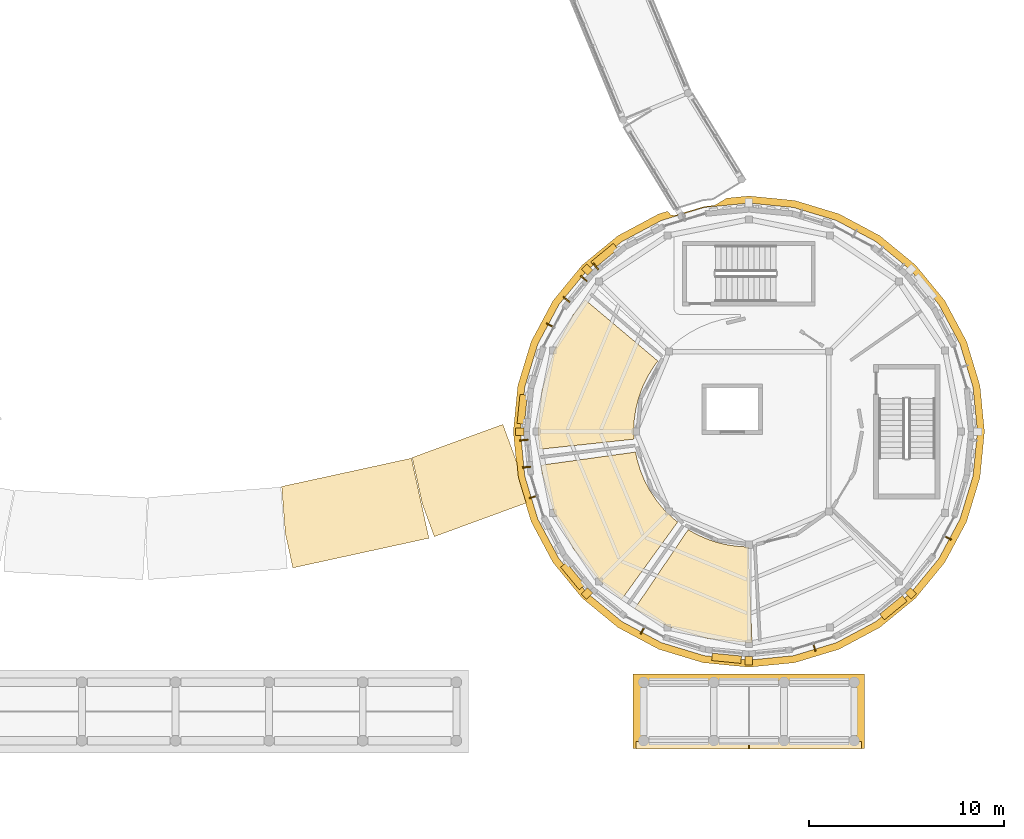
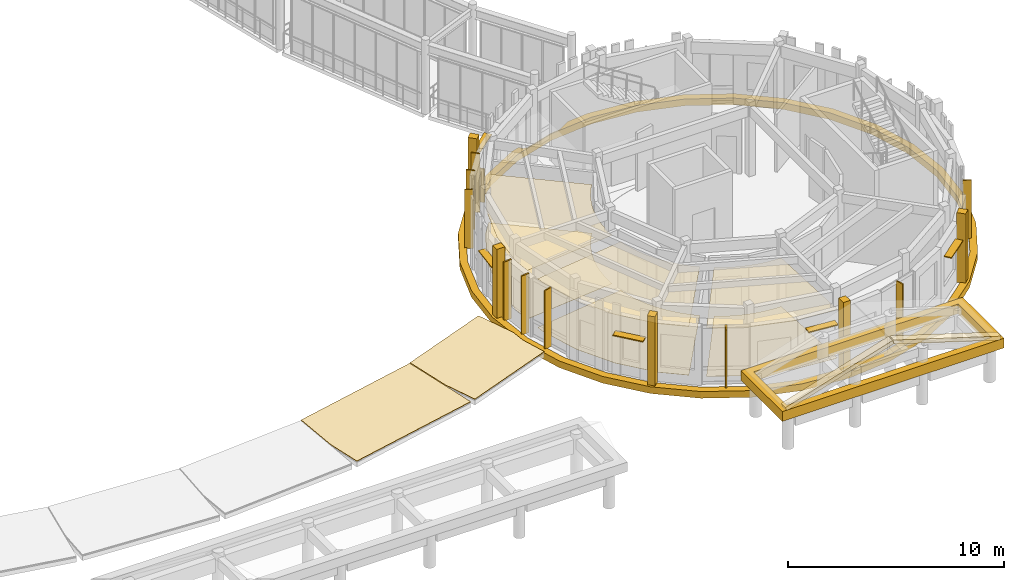
# One storey, part 76 of 80: 17 coverings, 15 shading devices.
"""IFC4 building model written with IfcOpenShell, lengths in metres."""

from ifc_helpers import new_model, si_unit, direction, frame, origin, origin_2d, place, context, subcontext, project, spatial, polyline, rectangle, outline, extrude, material, layer, layer_set, type_object, element, save


model = new_model("IFC4")

# Units and contexts
model_context = context("Model", 3, precision=1e-05, world=origin(), true_north=direction((0.0, 1.0)))
body_context = subcontext(model_context, "Body", "Model", "MODEL_VIEW")
ifc_project = project(units=[si_unit("LENGTHUNIT", "METRE"), si_unit("AREAUNIT", "SQUARE_METRE"), si_unit("VOLUMEUNIT", "CUBIC_METRE"), si_unit("PLANEANGLEUNIT", "RADIAN"), si_unit("MASSUNIT", "GRAM", prefix="KILO")], contexts=[model_context])

# Site, building, storey
site_placement = place(None, origin())
site = spatial("IfcSite", under=ifc_project, at=site_placement, CompositionType="ELEMENT")
building_placement = place(site_placement, origin())
building = spatial("IfcBuilding", under=site, at=building_placement, Name="Aldenvaro Health Centre", CompositionType="ELEMENT")
storey_placement = place(building_placement, frame((0.0, 0.0, 4.550048828125)))
storey = spatial("IfcBuildingStorey", under=building, at=storey_placement, Name="L01", CompositionType="ELEMENT", Elevation=4.550048828125)

# Coverings
ifc_material_1 = material(Name="Antimicrobial Mineral Fibre Ceiling")
ifc_layer_1 = layer(ifc_material_1, 0.01806640625, Name="Antimicrobial Mineral Fibre Ceiling")
ifc_layer_set_1 = layer_set([ifc_layer_1], Name="Antimicrobial Mineral Fibre Ceiling")
covering_type_1 = type_object("IfcCoveringType", Name="COV-CLG-ACT18", PredefinedType="CEILING", material=ifc_layer_set_1)
covering_1_placement = place(storey_placement, frame((0.0, 0.0, 2.75)))
element("IfcCovering", 1, at=covering_1_placement, inside=storey, type_object=covering_type_1, Name="D6-L01-R02 Suspended Ceiling", PredefinedType="CEILING", context=body_context, shape_type="SweptSolid", body=[
    extrude(outline(polyline([(149.6259765625, 21.842041015625), (149.613037109375, 21.822021484375), (149.31494140625, 21.3349609375), (149.302978515625, 21.31396484375), (149.055908203125, 20.799072265625), (149.0458984375, 20.777099609375), (148.85205078125, 20.239013671875), (148.844970703125, 20.216064453125), (148.7060546875, 19.662109375), (148.700927734375, 19.638916015625), (148.617919921875, 19.072998046875), (148.615966796875, 19.049072265625), (148.590087890625, 18.47900390625), (148.590087890625, 18.4541015625), (148.610107421875, 18.112060546875), (143.77099609375, 17.594970703125), (143.681884765625, 18.5), (143.888916015625, 20.610107421875), (144.5048828125, 22.639892578125), (145.50390625, 24.510009765625), (146.112060546875, 25.25), (149.833984375, 22.115966796875), (149.6259765625, 21.842041015625)])), origin(), (0.0, 0.0, 1.0), 0.01806640625),
])
covering_2_placement = place(storey_placement, frame((0.0, 0.0, 2.75)))
element("IfcCovering", 2, at=covering_2_placement, inside=storey, type_object=covering_type_1, Name="D6-L01-R03 Suspended Ceiling", PredefinedType="CEILING", context=body_context, shape_type="SweptSolid", body=[
    extrude(outline(polyline([(148.7548828125, 17.114990234375), (148.760986328125, 17.091064453125), (148.924072265625, 16.5439453125), (148.931884765625, 16.52099609375), (149.14892578125, 15.991943359375), (149.158935546875, 15.970947265625), (149.427978515625, 15.467041015625), (149.44091796875, 15.446044921875), (149.759033203125, 14.971923828125), (149.77392578125, 14.951904296875), (150.137939453125, 14.512939453125), (150.155029296875, 14.4951171875), (150.56201171875, 14.093994140625), (150.580078125, 14.077880859375), (150.846923828125, 13.863037109375), (147.989013671875, 9.9150390625), (146.85009765625, 10.85009765625), (145.50390625, 12.489990234375), (144.5048828125, 14.360107421875), (143.888916015625, 16.389892578125), (143.85107421875, 16.780029296875), (148.69091796875, 17.451904296875), (148.7548828125, 17.114990234375)])), origin(), (0.0, 0.0, 1.0), 0.01806640625),
])
covering_3_placement = place(storey_placement, frame((0.0, 0.0, 2.75)))
element("IfcCovering", 3, at=covering_3_placement, inside=storey, type_object=covering_type_1, Name="D6-L01-R04 Suspended Ceiling", PredefinedType="CEILING", context=body_context, shape_type="SweptSolid", body=[
    extrude(outline(polyline([(148.64404296875, 9.422119140625), (151.39111328125, 13.47900390625), (151.574951171875, 13.364990234375), (151.591064453125, 13.35498046875), (151.989013671875, 13.14990234375), (152.006103515625, 13.14208984375), (152.4189453125, 12.968994140625), (152.43701171875, 12.9619140625), (152.862060546875, 12.822021484375), (152.8798828125, 12.81689453125), (153.31494140625, 12.7099609375), (153.333984375, 12.7060546875), (153.77490234375, 12.635009765625), (153.7939453125, 12.632080078125), (154.239990234375, 12.595947265625), (154.259033203125, 12.594970703125), (154.47607421875, 12.593994140625), (154.656005859375, 7.697021484375), (154.5, 7.681884765625), (152.389892578125, 7.888916015625), (150.360107421875, 8.5048828125), (148.64404296875, 9.422119140625)])), origin(), (0.0, 0.0, 1.0), 0.01806640625),
])
ifc_material_2 = material(Name="Honed Sonoran Buff Limestone", Category="masonry")
ifc_layer_2 = layer(ifc_material_2, 0.280029296875, Name="Honed Sonoran Buff Limestone", Category="masonry")
ifc_layer_set_2 = layer_set([ifc_layer_2], Name="Honed Sonoran Buff Limestone")
covering_type_2 = type_object("IfcCoveringType", Name="COV-CRN-STN", PredefinedType="CLADDING", material=ifc_layer_set_2)
covering_4_placement = place(storey_placement, frame((0.0, 0.0, -0.340087890625)))
element("IfcCovering", 4, at=covering_4_placement, inside=storey, type_object=covering_type_2, Name="D6 L01 Classical Stone Entablature Cornice 1", PredefinedType="CLADDING", context=body_context, shape_type="SweptSolid", body=[
    extrude(outline(polyline([(154.5, 30.580078125), (156.85693359375, 30.347900390625), (159.123046875, 29.659912109375), (161.2109375, 28.5439453125), (163.0419921875, 27.0419921875), (164.5439453125, 25.2109375), (165.659912109375, 23.123046875), (166.347900390625, 20.85693359375), (166.580078125, 18.5), (166.347900390625, 16.14306640625), (165.659912109375, 13.876953125), (164.5439453125, 11.7890625), (163.0419921875, 9.9580078125), (161.2109375, 8.4560546875), (159.123046875, 7.340087890625), (156.85693359375, 6.652099609375), (154.5, 6.419921875), (152.14306640625, 6.652099609375), (149.876953125, 7.340087890625), (147.7890625, 8.4560546875), (145.9580078125, 9.9580078125), (144.4560546875, 11.7890625), (143.340087890625, 13.876953125), (142.652099609375, 16.14306640625), (142.419921875, 18.5), (142.652099609375, 20.85693359375), (143.340087890625, 23.123046875), (144.4560546875, 25.2109375), (145.9580078125, 27.0419921875), (147.7890625, 28.5439453125), (149.876953125, 29.659912109375), (150.3359375, 29.799072265625), (150.490966796875, 29.613037109375), (150.68310546875, 29.58203125), (152.2041015625, 30.0419921875), (152.739013671875, 30.10009765625), (153.35888671875, 30.468017578125), (154.5, 30.580078125)]), holes=[polyline([(165.989990234375, 20.784912109375), (165.322998046875, 22.98291015625), (164.240966796875, 25.009033203125), (162.783935546875, 26.783935546875), (161.009033203125, 28.240966796875), (158.98291015625, 29.322998046875), (156.784912109375, 29.989990234375), (154.5, 30.215087890625), (152.215087890625, 29.989990234375), (150.01708984375, 29.322998046875), (147.990966796875, 28.240966796875), (146.216064453125, 26.783935546875), (144.759033203125, 25.009033203125), (143.677001953125, 22.98291015625), (143.010009765625, 20.784912109375), (142.784912109375, 18.5), (143.010009765625, 16.215087890625), (143.677001953125, 14.01708984375), (144.759033203125, 11.990966796875), (146.216064453125, 10.216064453125), (147.990966796875, 8.759033203125), (150.01708984375, 7.677001953125), (152.215087890625, 7.010009765625), (154.5, 6.784912109375), (156.784912109375, 7.010009765625), (158.98291015625, 7.677001953125), (161.009033203125, 8.759033203125), (162.783935546875, 10.216064453125), (164.240966796875, 11.990966796875), (165.322998046875, 14.01708984375), (165.989990234375, 16.215087890625), (166.215087890625, 18.5), (165.989990234375, 20.784912109375)])]), origin(), (0.0, 0.0, 1.0), 0.380126953125),
])
for number, where, z_axis, x_axis, name in (
    (5, (162.801025390625, 10.198974609375, -0.00048828125), (0.0, 0.0, 1.0), (0.707106781187, -0.707106781187, 0.0), "D6 L01 Engaged Classical Limestone Pilaster 03"),
    (6, (154.5, 6.760009765625, -0.00048828125), (0.0, 0.0, 1.0), (0.0, -1.0, 0.0), "D6 L01 Engaged Classical Limestone Pilaster 05"),
    (7, (146.198974609375, 10.198974609375, -0.00048828125), (0.0, 0.0, 1.0), (-0.707106781187, -0.707106781187, 0.0), "D6 L01 Engaged Classical Limestone Pilaster 07"),
    (8, (142.760009765625, 18.5, -0.00048828125), (0.0, 0.0, 1.0), (-1.0, 0.0, 0.0), "D6 L01 Engaged Classical Limestone Pilaster 09"),
    (9, (146.198974609375, 26.801025390625, -0.00048828125), (0.0, 0.0, 1.0), (-0.707106781187, 0.707106781187, 0.0), "D6 L01 Engaged Classical Limestone Pilaster 11"),
):
    element("IfcCovering", number, at=place(storey_placement, frame(where, z_axis=z_axis, x_axis=x_axis)), inside=storey, type_object=covering_type_2, Name=name, PredefinedType="CLADDING", context=body_context, shape_type="SweptSolid", body=[
        extrude(rectangle(XDim=0.43994140625, YDim=0.3798828125, at=origin_2d()), origin(), (0.0, 0.0, 1.0), 3.955078125),
    ])
covering_5_placement = place(storey_placement, frame((0.0, 0.0, 1.849853515625)))
element("IfcCovering", 10, at=covering_5_placement, inside=storey, type_object=covering_type_2, Name="Pavilion Portico E6 Classical Entablature Cornice", PredefinedType="CLADDING", context=body_context, shape_type="SweptSolid", body=[
    extrude(outline(polyline([(148.56005859375, 2.239990234375), (148.56005859375, 6.080078125), (160.43994140625, 6.080078125), (160.43994140625, 2.239990234375), (148.56005859375, 2.239990234375)]), holes=[polyline([(159.97998046875, 5.699951171875), (149.02001953125, 5.699951171875), (149.02001953125, 2.60009765625), (159.97998046875, 2.60009765625), (159.97998046875, 5.699951171875)])]), origin(), (0.0, 0.0, 1.0), 0.550048828125),
])
for number, where, z_axis, x_axis, name in (
    (11, (148.719970703125, 2.219970703125, 2.58984375), (-0.297240682512, 0.0, 0.954802585177), (0.954802585177, 0.0, 0.297240682512), "Pavilion Portico E6 Raking Cornice W"),
    (12, (154.530029296875, 2.219970703125, 4.3798828125), (0.297240682512, 0.0, 0.954802585177), (0.954802585177, 0.0, -0.297240682512), "Pavilion Portico E6 Raking Cornice E"),
):
    element("IfcCovering", number, at=place(storey_placement, frame(where, z_axis=z_axis, x_axis=x_axis)), inside=storey, type_object=covering_type_2, Name=name, PredefinedType="CLADDING", context=body_context, shape_type="SweptSolid", body=[
        extrude(outline(polyline([(0.0, 0.0), (6.022187297425734, 0.0), (6.022187297425734, 0.400146484375), (0.0, 0.400146484375), (0.0, 0.0)])), origin(), (0.0, 0.0, -1.0), 0.219970703125),
    ])
ifc_material_3 = material(Name="Seamless Homogeneous Sheet Vinyl")
ifc_layer_3 = layer(ifc_material_3, 0.013916015625, Name="Seamless Homogeneous Sheet Vinyl")
ifc_layer_set_3 = layer_set([ifc_layer_3], Name="Seamless Homogeneous Sheet Vinyl")
covering_type_3 = type_object("IfcCoveringType", Name="COV-FLR-VNL14", PredefinedType="FLOORING", material=ifc_layer_set_3)
covering_6_placement = place(storey_placement, origin())
element("IfcCovering", 13, at=covering_6_placement, inside=storey, type_object=covering_type_3, Name="D6-L01-R02 Flooring", PredefinedType="FLOORING", context=body_context, shape_type="SweptSolid", body=[
    extrude(outline(polyline([(149.6259765625, 21.842041015625), (149.613037109375, 21.822021484375), (149.31494140625, 21.3349609375), (149.302978515625, 21.31396484375), (149.055908203125, 20.799072265625), (149.0458984375, 20.777099609375), (148.85205078125, 20.239013671875), (148.844970703125, 20.216064453125), (148.7060546875, 19.662109375), (148.700927734375, 19.638916015625), (148.617919921875, 19.072998046875), (148.615966796875, 19.049072265625), (148.590087890625, 18.47900390625), (148.590087890625, 18.4541015625), (148.610107421875, 18.112060546875), (143.77099609375, 17.594970703125), (143.681884765625, 18.5), (143.888916015625, 20.610107421875), (144.5048828125, 22.639892578125), (145.50390625, 24.510009765625), (146.112060546875, 25.25), (149.833984375, 22.115966796875), (149.6259765625, 21.842041015625)])), origin(), (0.0, 0.0, 1.0), 0.013916015625),
])
covering_7_placement = place(storey_placement, origin())
element("IfcCovering", 14, at=covering_7_placement, inside=storey, type_object=covering_type_3, Name="D6-L01-R03 Flooring", PredefinedType="FLOORING", context=body_context, shape_type="SweptSolid", body=[
    extrude(outline(polyline([(148.7548828125, 17.114990234375), (148.760986328125, 17.091064453125), (148.924072265625, 16.5439453125), (148.931884765625, 16.52099609375), (149.14892578125, 15.991943359375), (149.158935546875, 15.970947265625), (149.427978515625, 15.467041015625), (149.44091796875, 15.446044921875), (149.759033203125, 14.971923828125), (149.77392578125, 14.951904296875), (150.137939453125, 14.512939453125), (150.155029296875, 14.4951171875), (150.56201171875, 14.093994140625), (150.580078125, 14.077880859375), (150.846923828125, 13.863037109375), (147.989013671875, 9.9150390625), (146.85009765625, 10.85009765625), (145.50390625, 12.489990234375), (144.5048828125, 14.360107421875), (143.888916015625, 16.389892578125), (143.85107421875, 16.780029296875), (148.69091796875, 17.451904296875), (148.7548828125, 17.114990234375)])), origin(), (0.0, 0.0, 1.0), 0.013916015625),
])
covering_8_placement = place(storey_placement, origin())
element("IfcCovering", 15, at=covering_8_placement, inside=storey, type_object=covering_type_3, Name="D6-L01-R04 Flooring", PredefinedType="FLOORING", context=body_context, shape_type="SweptSolid", body=[
    extrude(outline(polyline([(148.64404296875, 9.422119140625), (151.39111328125, 13.47900390625), (151.574951171875, 13.364990234375), (151.591064453125, 13.35498046875), (151.989013671875, 13.14990234375), (152.006103515625, 13.14208984375), (152.4189453125, 12.968994140625), (152.43701171875, 12.9619140625), (152.862060546875, 12.822021484375), (152.8798828125, 12.81689453125), (153.31494140625, 12.7099609375), (153.333984375, 12.7060546875), (153.77490234375, 12.635009765625), (153.7939453125, 12.632080078125), (154.239990234375, 12.595947265625), (154.259033203125, 12.594970703125), (154.47607421875, 12.593994140625), (154.656005859375, 7.697021484375), (154.5, 7.681884765625), (152.389892578125, 7.888916015625), (150.360107421875, 8.5048828125), (148.64404296875, 9.422119140625)])), origin(), (0.0, 0.0, 1.0), 0.013916015625),
])
ifc_material_4 = material(Name="TPO Reflective Cool Roof Membrane")
ifc_layer_4 = layer(ifc_material_4, 0.030029296875, Name="TPO Reflective Cool Roof Membrane")
ifc_layer_set_4 = layer_set([ifc_layer_4], Name="TPO Reflective Cool Roof Membrane")
covering_type_4 = type_object("IfcCoveringType", Name="COV-RF-MEM", PredefinedType="ROOFING", material=ifc_layer_set_4)
covering_9_placement = place(storey_placement, frame((0.0, 0.0, 0.06005859375)))
element("IfcCovering", 16, at=covering_9_placement, inside=storey, type_object=covering_type_4, Name="South East Curved Peristyle Walkway Arc 4 flat roof Cool Limestone Ballast Membrane", PredefinedType="ROOFING", context=body_context, shape_type="SweptSolid", body=[
    extrude(outline(polyline([(137.198974609375, 17.136962890625), (138.094970703125, 13.032958984375), (131.116943359375, 11.510986328125), (130.73193359375, 13.27490234375), (130.5419921875, 15.68505859375), (137.198974609375, 17.136962890625)])), origin(), (0.0, 0.0, 1.0), 0.02978515625),
])
covering_10_placement = place(storey_placement, frame((0.0, 0.0, 0.06005859375)))
element("IfcCovering", 17, at=covering_10_placement, inside=storey, type_object=covering_type_4, Name="South East Curved Peristyle Walkway Arc 5 flat roof Cool Limestone Ballast Membrane", PredefinedType="ROOFING", context=body_context, shape_type="SweptSolid", body=[
    extrude(outline(polyline([(138.368896484375, 13.113037109375), (137.7490234375, 14.80810546875), (137.23291015625, 17.169921875), (141.885986328125, 18.8720703125), (142.60791015625, 16.89990234375), (142.681884765625, 16.14892578125), (143.080078125, 14.8369140625), (138.368896484375, 13.113037109375)])), origin(), (0.0, 0.0, 1.0), 0.02978515625),
])

# Shading devices
ifc_material_5 = material(Name="Douglas Fir Exterior Glulam GL28h", Category="wood")
shading_device_type_1 = type_object("IfcShadingDeviceType", Name="SHD-FIN-190", PredefinedType="USERDEFINED", material=ifc_material_5)
shading_device_1_placement = place(storey_placement, frame((146.653076171875, 26.962890625, -0.02001953125), z_axis=(0.0, 0.0, 1.0), x_axis=(0.772859503767, 0.634577172169, 0.0)))
element("IfcShadingDevice", 18, at=shading_device_1_placement, inside=storey, type_object=shading_device_type_1, Name="D6 L01 Douglas fir fin 21.1", ObjectType="FIN", PredefinedType="USERDEFINED", context=body_context, shape_type="SweptSolid", body=[
    extrude(rectangle(XDim=0.06494140625, YDim=0.419921875, at=origin_2d()), origin(), (0.0, 0.0, 1.0), 1.89990234375),
])
shading_device_type_2 = type_object("IfcShadingDeviceType", Name="SHD-FIN-340", PredefinedType="USERDEFINED", material=ifc_material_5)
shading_device_2_placement = place(storey_placement, frame((149.052978515625, 8.30908203125, -0.01953125), z_axis=(0.0, 0.0, 1.0), x_axis=(-0.882018256263, 0.471215232797, 0.0)))
element("IfcShadingDevice", 19, at=shading_device_2_placement, inside=storey, type_object=shading_device_type_2, Name="D6 L01 vertical timber fin 11.0", ObjectType="FIN", PredefinedType="USERDEFINED", context=body_context, shape_type="SweptSolid", body=[
    extrude(rectangle(XDim=0.074951171875, YDim=0.419921875, at=origin_2d()), origin(), (0.0, 0.0, 1.0), 3.34912109375),
])
shading_device_type_3 = type_object("IfcShadingDeviceType", Name="SHD-FIN-380", PredefinedType="USERDEFINED", material=ifc_material_5)
for number, where, z_axis, x_axis, name in (
    (20, (143.10400390625, 16.677001953125, -0.01953125), (0.0, 0.0, 1.0), (-0.097997250052, 0.995186685493, 0.0), "D6 L01 Douglas fir fin 16.1"),
    (21, (142.967041015625, 18.06494140625, -0.01953125), (0.0, 0.0, 1.0), (-0.097997250052, 0.995186685493, 0.0), "D6 L01 Douglas fir fin 16.3"),
):
    element("IfcShadingDevice", number, at=place(storey_placement, frame(where, z_axis=z_axis, x_axis=x_axis)), inside=storey, type_object=shading_device_type_3, Name=name, ObjectType="FIN", PredefinedType="USERDEFINED", context=body_context, shape_type="SweptSolid", body=[
        extrude(rectangle(XDim=0.074951171875, YDim=0.419921875, at=origin_2d()), origin(), (0.0, 0.0, 1.0), 3.34912109375),
    ])
shading_device_type_4 = type_object("IfcShadingDeviceType", Name="SHD-FIN-400", PredefinedType="USERDEFINED", material=ifc_material_5)
for number, where, z_axis, x_axis, name in (
    (22, (164.69091796875, 13.052978515625, -0.01953125), (0.0, 0.0, 1.0), (-0.471215232797, -0.882018256263, 0.0), "D6 L01 vertical timber fin 3.0"),
    (23, (143.443115234375, 15.14599609375, -0.01953125), (0.0, 0.0, 1.0), (-0.290342622208, 0.956922756407, 0.0), "D6 L01 vertical timber fin 15.0"),
):
    element("IfcShadingDevice", number, at=place(storey_placement, frame(where, z_axis=z_axis, x_axis=x_axis)), inside=storey, type_object=shading_device_type_4, Name=name, ObjectType="FIN", PredefinedType="USERDEFINED", context=body_context, shape_type="SweptSolid", body=[
        extrude(rectangle(XDim=0.06494140625, YDim=0.419921875, at=origin_2d()), origin(), (0.0, 0.0, 1.0), 3.34912109375),
    ])
shading_device_type_5 = type_object("IfcShadingDeviceType", Name="SHD-FIN-420", PredefinedType="USERDEFINED", material=ifc_material_5)
for number, where, z_axis, x_axis, name in (
    (24, (145.152099609375, 25.27001953125, -0.01953125), (0.0, 0.0, 1.0), (0.634577172169, 0.772859503767, 0.0), "D6 L01 Douglas fir fin 20.1"),
    (25, (146.037109375, 26.346923828125, -0.01953125), (0.0, 0.0, 1.0), (0.634577172169, 0.772859503767, 0.0), "D6 L01 Douglas fir fin 20.3"),
):
    element("IfcShadingDevice", number, at=place(storey_placement, frame(where, z_axis=z_axis, x_axis=x_axis)), inside=storey, type_object=shading_device_type_5, Name=name, ObjectType="FIN", PredefinedType="USERDEFINED", context=body_context, shape_type="SweptSolid", body=[
        extrude(rectangle(XDim=0.06494140625, YDim=0.419921875, at=origin_2d()), origin(), (0.0, 0.0, 1.0), 3.34912109375),
    ])
shading_device_type_6 = type_object("IfcShadingDeviceType", Name="SHD-FIN-435", PredefinedType="USERDEFINED", material=ifc_material_5)
for number, where, z_axis, x_axis, name in (
    (26, (157.85400390625, 7.443115234375, -0.01953125), (0.0, 0.0, 1.0), (-0.956922756407, -0.290342622208, 0.0), "D6 L01 vertical timber fin 7.0"),
    (27, (144.30908203125, 23.947021484375, -0.01953125), (0.0, 0.0, 1.0), (0.471215232797, 0.882018256263, 0.0), "D6 L01 vertical timber fin 19.0"),
):
    element("IfcShadingDevice", number, at=place(storey_placement, frame(where, z_axis=z_axis, x_axis=x_axis)), inside=storey, type_object=shading_device_type_6, Name=name, ObjectType="FIN", PredefinedType="USERDEFINED", context=body_context, shape_type="SweptSolid", body=[
        extrude(rectangle(XDim=0.06494140625, YDim=0.419921875, at=origin_2d()), origin(), (0.0, 0.0, 1.0), 3.34912109375),
    ])
shading_device_type_7 = type_object("IfcShadingDeviceType", Name="SHD-LVR-150", PredefinedType="JALOUSIE", material=ifc_material_5)
for number, where, z_axis, x_axis, name in (
    (28, (161.909912109375, 9.470947265625, 2.55224609375), (0.0, 0.0, 1.0), (-0.772859503767, -0.634577172169, 0.0), "D6 L01 horizontal solar louvre 05"),
    (29, (153.35595703125, 6.8759765625, 2.70263671875), (0.0, 0.0, 1.0), (-0.995186685493, 0.097997250052, 0.0), "D6 L01 horizontal solar louvre 09"),
    (30, (145.470947265625, 11.090087890625, 2.3525390625), (0.0, 0.0, 1.0), (-0.634577172169, 0.772859503767, 0.0), "D6 L01 horizontal solar louvre 13"),
    (31, (142.8759765625, 19.64404296875, 2.50244140625), (0.0, 0.0, 1.0), (0.097997250052, 0.995186685493, 0.0), "D6 L01 horizontal solar louvre 17"),
    (32, (147.090087890625, 27.529052734375, 2.80224609375), (0.0, 0.0, 1.0), (0.772859503767, 0.634577172169, 0.0), "D6 L01 horizontal solar louvre 21"),
):
    element("IfcShadingDevice", number, at=place(storey_placement, frame(where, z_axis=z_axis, x_axis=x_axis)), inside=storey, type_object=shading_device_type_7, Name=name, PredefinedType="JALOUSIE", context=body_context, shape_type="SweptSolid", body=[
        extrude(rectangle(XDim=1.5, YDim=0.3798828125, at=origin_2d()), origin(), (0.0, 0.0, 1.0), 0.054931640625),
    ])

save(model, "model.ifc")
